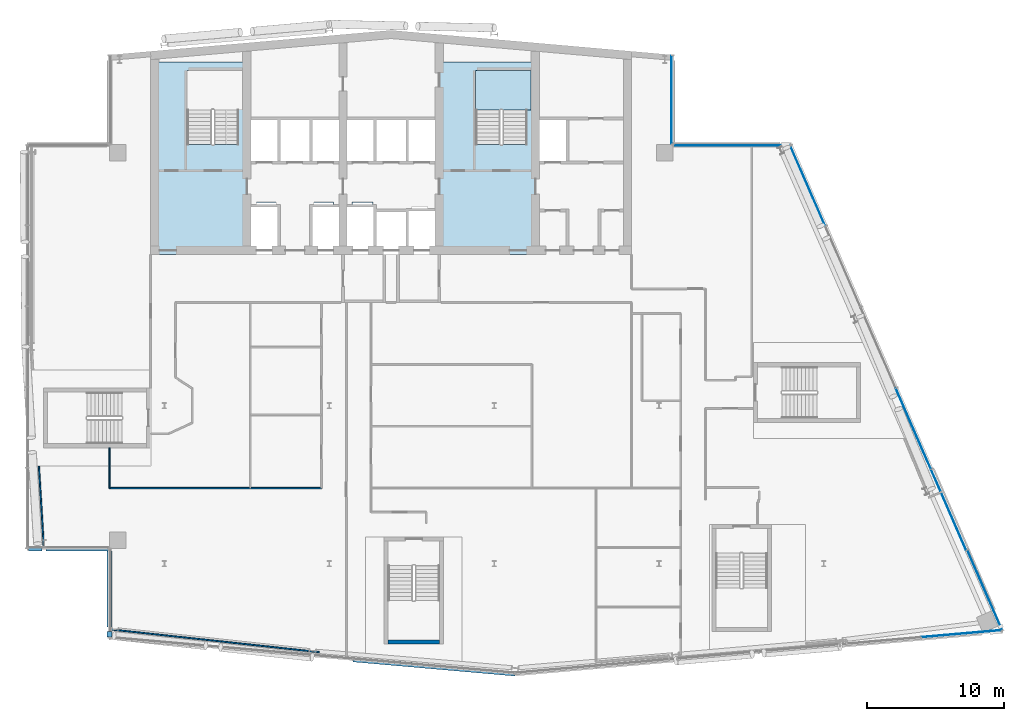
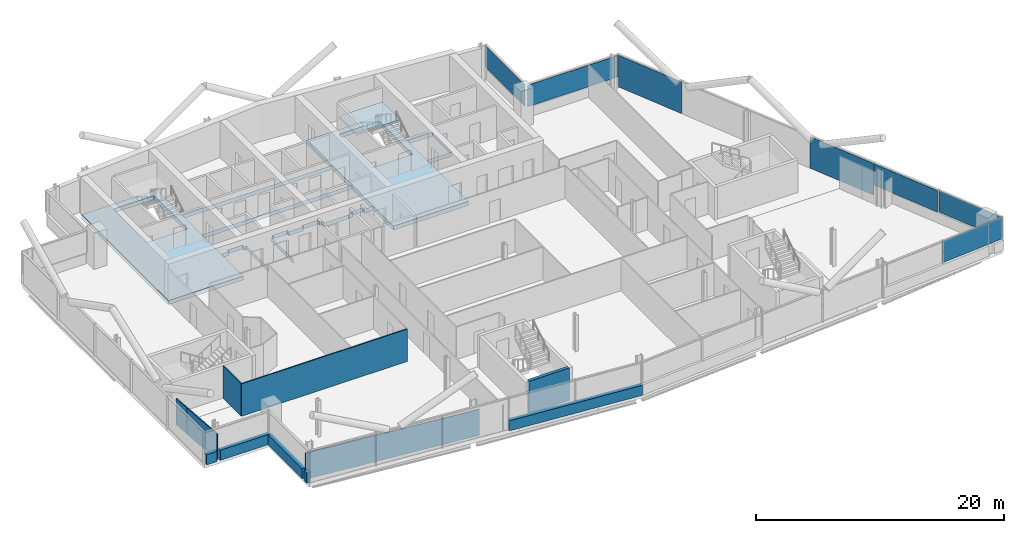
# One storey, part 14 of 27: 11 walls, 7 plates, 2 slabs, 5 elements without a shape of their own.
"""IFC4 building model written with IfcOpenShell, lengths in metres."""

from ifc_helpers import new_model, si_unit, direction, frame, frame_2d, origin, origin_2d, place, context, subcontext, project, spatial, polyline, rectangle, outline, extrude, material, layer, layer_set, type_object, element, aggregate, save


model = new_model("IFC4")

# Units and contexts
model_context = context("Model", 3, precision=1e-05, world=origin(), true_north=direction((0.0, 1.0)))
body_context = subcontext(model_context, "Body", "Model", "MODEL_VIEW")
ifc_project = project(units=[si_unit("LENGTHUNIT", "METRE"), si_unit("AREAUNIT", "SQUARE_METRE"), si_unit("VOLUMEUNIT", "CUBIC_METRE"), si_unit("PLANEANGLEUNIT", "RADIAN"), si_unit("MASSUNIT", "GRAM", prefix="KILO")], contexts=[model_context])

# Site, building, storey
site_placement = place(None, origin())
site = spatial("IfcSite", under=ifc_project, at=site_placement, CompositionType="ELEMENT")
building_placement = place(site_placement, origin())
building = spatial("IfcBuilding", under=site, at=building_placement, Name="Wharfspan Tower", CompositionType="ELEMENT")
storey_placement = place(building_placement, frame((0.0, 0.0, 221.5)))
storey = spatial("IfcBuildingStorey", under=building, at=storey_placement, Name="L55", CompositionType="ELEMENT", Elevation=221.5)

# Curtain wall, plate
ifc_material_1 = material(Name="Aluminium 6063-T6", Category="aluminium")
curtain_wall_type_1 = type_object("IfcCurtainWallType", Name="CURTAIN WALL FACETED FRONT", PredefinedType="NOTDEFINED", material=ifc_material_1)
curtain_wall_1_placement = place(storey_placement, origin())
curtain_wall_1 = element("IfcCurtainWall", 1, at=curtain_wall_1_placement, inside=storey, type_object=curtain_wall_type_1, Name="Curtain wall S2", PredefinedType="NOTDEFINED")
ifc_material_2 = material(Name="Glass clear low-iron double glazing", Category="glass")
ifc_layer_1 = layer(ifc_material_2, 0.040039)
ifc_layer_set_1 = layer_set([ifc_layer_1], Name="Glass clear low-iron double glazing")
plate_type_1 = type_object("IfcPlateType", Name="GLASS PANEL FACETED FRONT 40", PredefinedType="CURTAIN_PANEL", material=ifc_layer_set_1)
plate_1_placement = place(storey_placement, frame((82.021484, 6.399658, 1.0), z_axis=(0.0, 0.0, 1.0), x_axis=(0.996197, 0.087156, 0.0)))
plate_1 = element("IfcPlate", 2, at=plate_1_placement, type_object=plate_type_1, Name="Curtain wall S2 panel 6", PredefinedType="CURTAIN_PANEL", context=body_context, shape_type="SweptSolid", body=[
    extrude(rectangle(XDim=5.849365, YDim=0.040039, at=origin_2d()), origin(), (0.0, 0.0, 1.0), 2.120117),
])
aggregate(curtain_wall_1, [plate_1])

# Curtain wall, plates
curtain_wall_type_2 = type_object("IfcCurtainWallType", Name="CURTAIN WALL PROW AND END", PredefinedType="NOTDEFINED", material=ifc_material_1)
curtain_wall_2_placement = place(storey_placement, origin())
curtain_wall_2 = element("IfcCurtainWall", 3, at=curtain_wall_2_placement, inside=storey, type_object=curtain_wall_type_2, Name="Curtain wall E", PredefinedType="NOTDEFINED")
ifc_layer_2 = layer(ifc_material_2, 0.040039)
ifc_layer_set_2 = layer_set([ifc_layer_2], Name="Glass clear low-iron double glazing")
plate_type_2 = type_object("IfcPlateType", Name="GLASS PANEL PROW AND END 40", PredefinedType="CURTAIN_PANEL", material=ifc_layer_set_2)
plate_2_placement = place(storey_placement, frame((83.711426, 9.563721, 1.0), z_axis=(0.0, 0.0, 1.0), x_axis=(-0.398727, 0.917072, 0.0)))
plate_2 = element("IfcPlate", 4, at=plate_2_placement, type_object=plate_type_2, Name="Curtain wall E panel 1", PredefinedType="CURTAIN_PANEL", context=body_context, shape_type="SweptSolid", body=[
    extrude(rectangle(XDim=6.343506, YDim=0.040039, at=origin_2d()), origin(), (0.0, 0.0, 1.0), 2.120117),
])
plate_3_placement = place(storey_placement, frame((81.078857, 15.418213, 1.0), z_axis=(0.0, 0.0, 1.0), x_axis=(-0.398727, 0.917072, 0.0)))
plate_3 = element("IfcPlate", 5, at=plate_3_placement, type_object=plate_type_2, Name="Curtain wall E panel 2", PredefinedType="CURTAIN_PANEL", context=body_context, shape_type="SweptSolid", body=[
    extrude(rectangle(XDim=6.373535, YDim=0.040039, at=origin_2d()), origin(), (0.0, 0.0, 1.0), 2.120117),
])

# Curtain wall, plate
curtain_wall_3_placement = place(storey_placement, origin())
curtain_wall_3 = element("IfcCurtainWall", 6, at=curtain_wall_3_placement, inside=storey, type_object=curtain_wall_type_2, Name="Curtain wall NRE-H", PredefinedType="NOTDEFINED")
plate_4_placement = place(storey_placement, frame((65.304443, 41.919922, 1.0), z_axis=(0.0, 0.0, 1.0), x_axis=(-1.0, 0.0, 0.0)))
plate_4 = element("IfcPlate", 7, at=plate_4_placement, type_object=plate_type_2, Name="Curtain wall NRE-H panel 1", PredefinedType="CURTAIN_PANEL", context=body_context, shape_type="SweptSolid", body=[
    extrude(rectangle(XDim=8.48877, YDim=0.040039, at=origin_2d()), origin(), (0.0, 0.0, 1.0), 2.120117),
])
aggregate(curtain_wall_3, [plate_4])

curtain_wall_4_placement = place(storey_placement, origin())
curtain_wall_4 = element("IfcCurtainWall", 8, at=curtain_wall_4_placement, inside=storey, type_object=curtain_wall_type_2, Name="Curtain wall NRE-V", PredefinedType="NOTDEFINED")
plate_5_placement = place(storey_placement, frame((60.919922, 45.262451, 1.0), z_axis=(0.0, 0.0, 1.0), x_axis=(0.0, 1.0, 0.0)))
plate_5 = element("IfcPlate", 9, at=plate_5_placement, type_object=plate_type_2, Name="Curtain wall NRE-V panel 1", PredefinedType="CURTAIN_PANEL", context=body_context, shape_type="SweptSolid", body=[
    extrude(rectangle(XDim=6.405029, YDim=0.040039, at=origin_2d()), origin(), (0.0, 0.0, 1.0), 2.120117),
])
aggregate(curtain_wall_4, [plate_5])

# Plate
ifc_material_3 = material(Name="Aluminium composite opaque insulated panel", Category="aluminium")
ifc_layer_3 = layer(ifc_material_3, 0.040039)
ifc_layer_set_3 = layer_set([ifc_layer_3], Name="Aluminium composite opaque insulated panel")
plate_type_3 = type_object("IfcPlateType", Name="INFILL PANEL PROW AND END OPAQUE 40", PredefinedType="SHEET", material=ifc_layer_set_3)
plate_6_placement = place(storey_placement, frame((78.513672, 21.318115, 0.0), z_axis=(0.0, 0.0, 1.0), x_axis=(-0.398727, 0.917072, 0.0)))
plate_6 = element("IfcPlate", 10, at=plate_6_placement, type_object=plate_type_3, Name="Curtain wall E panel 3", PredefinedType="SHEET", context=body_context, shape_type="SweptSolid", body=[
    extrude(rectangle(XDim=6.373535, YDim=0.040039, at=origin_2d()), origin(), (0.0, 0.0, 1.0), 3.120117),
])

plate_7_placement = place(storey_placement, frame((70.823975, 39.004395, 0.0), z_axis=(0.0, 0.0, 1.0), x_axis=(-0.398727, 0.917072, 0.0)))
plate_7 = element("IfcPlate", 11, at=plate_7_placement, type_object=plate_type_3, Name="Curtain wall E panel 6", PredefinedType="SHEET", context=body_context, shape_type="SweptSolid", body=[
    extrude(rectangle(XDim=6.343506, YDim=0.040039, at=origin_2d()), origin(), (0.0, 0.0, 1.0), 3.120117),
])

aggregate(curtain_wall_2, [plate_2, plate_3, plate_6, plate_7])

# Slab
ifc_material_4 = material(Name="Concrete C40/50", Category="concrete")
ifc_layer_4 = layer(ifc_material_4, 0.399902)
ifc_layer_set_4 = layer_set([ifc_layer_4], Name="Concrete C40/50")
slab_type_1 = type_object("IfcSlabType", Name="Post-tensioned flat slab 400", PredefinedType="FLOOR", material=ifc_layer_set_4)
slab_1_placement = place(storey_placement, frame((0.0, 0.0, -0.400146)))
element("IfcSlab", 12, at=slab_1_placement, inside=storey, type_object=slab_type_1, Name="Core floor slab L55 part 2", PredefinedType="FLOOR", context=body_context, shape_type="SweptSolid", body=[
    extrude(outline(polyline([(23.0, 34.0), (29.998047, 34.0), (29.998047, 37.550049), (29.998047, 37.550293), (29.998047, 37.550293), (29.998047, 37.550537), (29.998291, 37.550781), (29.998291, 37.550781), (29.998291, 37.551025), (29.998535, 37.55127), (29.998535, 37.551514), (29.998779, 37.551514), (29.998779, 37.551758), (29.999023, 37.551758), (29.999268, 37.551758), (29.999512, 37.552002), (29.999512, 37.552002), (29.999756, 37.552002), (30.0, 37.552002), (30.7146, 37.552002), (30.7146, 37.800049), (30.7146, 37.800293), (30.7146, 37.800293), (30.714844, 37.800537), (30.714844, 37.800781), (30.714844, 37.800781), (30.715088, 37.801025), (30.715088, 37.80127), (30.715332, 37.801514), (30.715332, 37.801514), (30.715576, 37.801758), (30.71582, 37.801758), (30.71582, 37.801758), (30.716064, 37.802002), (30.716309, 37.802002), (30.716553, 37.802002), (30.716797, 37.802002), (32.116699, 37.802002), (32.116943, 37.802002), (32.117188, 37.802002), (32.117188, 37.802002), (32.117432, 37.801758), (32.117676, 37.801758), (32.11792, 37.801758), (32.11792, 37.801514), (32.118164, 37.801514), (32.118164, 37.80127), (32.118408, 37.801025), (32.118408, 37.800781), (32.118408, 37.800781), (32.118652, 37.800537), (32.118652, 37.800293), (32.118652, 37.800293), (32.118652, 37.800049), (32.118652, 37.552002), (32.333252, 37.552002), (32.333496, 37.552002), (32.33374, 37.552002), (32.333984, 37.552002), (32.333984, 37.551758), (32.334229, 37.551758), (32.334473, 37.551758), (32.334717, 37.551514), (32.334717, 37.551514), (32.334961, 37.55127), (32.334961, 37.551025), (32.335205, 37.550781), (32.335205, 37.550781), (32.335205, 37.550537), (32.335205, 37.550293), (32.335205, 37.550293), (32.335205, 37.550049), (32.335205, 34.0), (32.341309, 34.0), (32.341309, 37.558105), (32.126709, 37.558105), (32.126465, 37.558105), (32.126221, 37.558105), (32.126221, 37.558105), (32.125977, 37.558105), (32.125732, 37.558105), (32.125488, 37.55835), (32.125488, 37.558594), (32.125244, 37.558594), (32.125244, 37.558594), (32.125, 37.558838), (32.125, 37.559082), (32.125, 37.559082), (32.124756, 37.559326), (32.124756, 37.55957), (32.124756, 37.559814), (32.124756, 37.560059), (32.124756, 37.808105), (30.70874, 37.808105), (30.70874, 37.560059), (30.70874, 37.559814), (30.70874, 37.55957), (30.708496, 37.559326), (30.708496, 37.559082), (30.708496, 37.559082), (30.708496, 37.558838), (30.708252, 37.558594), (30.708008, 37.558594), (30.708008, 37.558594), (30.707764, 37.55835), (30.70752, 37.558105), (30.70752, 37.558105), (30.707275, 37.558105), (30.707031, 37.558105), (30.706787, 37.558105), (30.706787, 37.558105), (30.01001, 37.558105), (30.009766, 37.558105), (30.009521, 37.558105), (30.009521, 37.558105), (30.009277, 37.558105), (30.009033, 37.558105), (30.008789, 37.55835), (30.008789, 37.558594), (30.008545, 37.558594), (30.008545, 37.558594), (30.008301, 37.558838), (30.008301, 37.559082), (30.008301, 37.559082), (30.008057, 37.559326), (30.008057, 37.55957), (30.008057, 37.559814), (30.008057, 37.560059), (30.008057, 40.689941), (30.008057, 40.690186), (30.008057, 40.69043), (30.008057, 40.690674), (30.008301, 40.690918), (30.008301, 40.690918), (30.008301, 40.691162), (30.008545, 40.691406), (30.008545, 40.691406), (30.008789, 40.691406), (30.008789, 40.69165), (30.009033, 40.691895), (30.009277, 40.691895), (30.009521, 40.691895), (30.009521, 40.691895), (30.009766, 40.691895), (30.01001, 40.691895), (43.98999, 40.691895), (43.990234, 40.691895), (43.990479, 40.691895), (43.990479, 40.691895), (43.990723, 40.691895), (43.990967, 40.691895), (43.991211, 40.69165), (43.991211, 40.691406), (43.991455, 40.691406), (43.991455, 40.691406), (43.991699, 40.691162), (43.991699, 40.690918), (43.991699, 40.690918), (43.991943, 40.690674), (43.991943, 40.69043), (43.991943, 40.690186), (43.991943, 40.689941), (43.991943, 37.26001), (43.991943, 37.259766), (43.991943, 37.259521), (43.991943, 37.259521), (43.991699, 37.259277), (43.991699, 37.259033), (43.991699, 37.258789), (43.991455, 37.258789), (43.991455, 37.258545), (43.991211, 37.258545), (43.991211, 37.258301), (43.990967, 37.258301), (43.990723, 37.258301), (43.990479, 37.258057), (43.990479, 37.258057), (43.990234, 37.258057), (43.98999, 37.258057), (43.143311, 37.258057), (43.143066, 37.258057), (43.142822, 37.258057), (43.142578, 37.258057), (43.142578, 37.258301), (43.142334, 37.258301), (43.14209, 37.258301), (43.14209, 37.258545), (43.141846, 37.258545), (43.141846, 37.258789), (43.141602, 37.258789), (43.141602, 37.259033), (43.141602, 37.259277), (43.141357, 37.259521), (43.141357, 37.259521), (43.141357, 37.259766), (43.141357, 37.26001), (43.141357, 37.508057), (42.025391, 37.508057), (42.025391, 37.26001), (42.025391, 37.259766), (42.025391, 37.259521), (42.025146, 37.259521), (42.025146, 37.259277), (42.025146, 37.259033), (42.024902, 37.258789), (42.024902, 37.258789), (42.024658, 37.258545), (42.024658, 37.258545), (42.024414, 37.258301), (42.02417, 37.258301), (42.02417, 37.258301), (42.023926, 37.258057), (42.023682, 37.258057), (42.023438, 37.258057), (42.023193, 37.258057), (41.658691, 37.258057), (41.658691, 37.209961), (41.658691, 37.209717), (41.658691, 37.209717), (41.658691, 37.209473), (41.658447, 37.209229), (41.658447, 37.208984), (41.658447, 37.208984), (41.658203, 37.20874), (41.658203, 37.208496), (41.657959, 37.208496), (41.657715, 37.208252), (41.657715, 37.208252), (41.657471, 37.208252), (41.657227, 37.208008), (41.656982, 37.208008), (41.656982, 37.208008), (41.656738, 37.208008), (39.343262, 37.208008), (39.343018, 37.208008), (39.343018, 37.208008), (39.342773, 37.208008), (39.342529, 37.208252), (39.342285, 37.208252), (39.342285, 37.208252), (39.342041, 37.208496), (39.341797, 37.208496), (39.341797, 37.20874), (39.341553, 37.208984), (39.341553, 37.208984), (39.341553, 37.209229), (39.341309, 37.209473), (39.341309, 37.209717), (39.341309, 37.209717), (39.341309, 37.209961), (39.341309, 37.558105), (39.166748, 37.558105), (39.166504, 37.558105), (39.16626, 37.558105), (39.166016, 37.558105), (39.166016, 37.558105), (39.165771, 37.558105), (39.165527, 37.55835), (39.165283, 37.558594), (39.165283, 37.558594), (39.165283, 37.558594), (39.165039, 37.558838), (39.164795, 37.559082), (39.164795, 37.559082), (39.164795, 37.559326), (39.164795, 37.55957), (39.164795, 37.559814), (39.164795, 37.560059), (39.164795, 37.808105), (37.668701, 37.808105), (37.668701, 37.560059), (37.668701, 37.559814), (37.668701, 37.55957), (37.668701, 37.559326), (37.668457, 37.559082), (37.668457, 37.559082), (37.668457, 37.558838), (37.668213, 37.558594), (37.668213, 37.558594), (37.667969, 37.558594), (37.667725, 37.55835), (37.66748, 37.558105), (37.66748, 37.558105), (37.667236, 37.558105), (37.666992, 37.558105), (37.666992, 37.558105), (37.666748, 37.558105), (36.293213, 37.558105), (36.293213, 37.558105), (36.292969, 37.558105), (36.292725, 37.558105), (36.29248, 37.558105), (36.29248, 37.558105), (36.292236, 37.55835), (36.291992, 37.558594), (36.291992, 37.558594), (36.291748, 37.558594), (36.291504, 37.558838), (36.291504, 37.559082), (36.291504, 37.559082), (36.291504, 37.559326), (36.29126, 37.55957), (36.29126, 37.559814), (36.29126, 37.560059), (36.29126, 37.808105), (34.875244, 37.808105), (34.875244, 37.560059), (34.875244, 37.559814), (34.875244, 37.55957), (34.875244, 37.559326), (34.875, 37.559082), (34.875, 37.559082), (34.875, 37.558838), (34.874756, 37.558594), (34.874756, 37.558594), (34.874512, 37.558594), (34.874512, 37.55835), (34.874268, 37.558105), (34.874023, 37.558105), (34.873779, 37.558105), (34.873779, 37.558105), (34.873535, 37.558105), (34.873291, 37.558105), (34.658691, 37.558105), (34.658691, 34.0), (34.664795, 34.0), (34.664795, 37.550049), (34.664795, 37.550293), (34.664795, 37.550293), (34.664795, 37.550537), (34.664795, 37.550781), (34.664795, 37.550781), (34.665039, 37.551025), (34.665039, 37.55127), (34.665283, 37.551514), (34.665283, 37.551514), (34.665527, 37.551758), (34.665771, 37.551758), (34.666016, 37.551758), (34.666016, 37.552002), (34.66626, 37.552002), (34.666504, 37.552002), (34.666748, 37.552002), (34.881348, 37.552002), (34.881348, 37.800049), (34.881348, 37.800293), (34.881348, 37.800293), (34.881348, 37.800537), (34.881592, 37.800781), (34.881592, 37.800781), (34.881592, 37.801025), (34.881836, 37.80127), (34.881836, 37.801514), (34.88208, 37.801514), (34.88208, 37.801758), (34.882324, 37.801758), (34.882568, 37.801758), (34.882812, 37.802002), (34.882812, 37.802002), (34.883057, 37.802002), (34.883301, 37.802002), (36.283203, 37.802002), (36.283447, 37.802002), (36.283691, 37.802002), (36.283936, 37.802002), (36.28418, 37.801758), (36.28418, 37.801758), (36.284424, 37.801758), (36.284668, 37.801514), (36.284668, 37.801514), (36.284912, 37.80127), (36.284912, 37.801025), (36.285156, 37.800781), (36.285156, 37.800781), (36.285156, 37.800537), (36.2854, 37.800293), (36.2854, 37.800293), (36.2854, 37.800049), (36.2854, 37.552002), (37.674805, 37.552002), (37.674805, 37.800049), (37.674805, 37.800293), (37.674805, 37.800293), (37.674805, 37.800537), (37.674805, 37.800781), (37.674805, 37.800781), (37.675049, 37.801025), (37.675049, 37.80127), (37.675293, 37.801514), (37.675293, 37.801514), (37.675537, 37.801758), (37.675781, 37.801758), (37.675781, 37.801758), (37.676025, 37.802002), (37.67627, 37.802002), (37.676514, 37.802002), (37.676758, 37.802002), (39.156738, 37.802002), (39.156982, 37.802002), (39.156982, 37.802002), (39.157227, 37.802002), (39.157471, 37.801758), (39.157715, 37.801758), (39.157715, 37.801758), (39.157959, 37.801514), (39.158203, 37.801514), (39.158203, 37.80127), (39.158203, 37.801025), (39.158447, 37.800781), (39.158447, 37.800781), (39.158691, 37.800537), (39.158691, 37.800293), (39.158691, 37.800293), (39.158691, 37.800049), (39.158691, 37.552002), (39.333252, 37.552002), (39.333496, 37.552002), (39.33374, 37.552002), (39.333984, 37.552002), (39.333984, 37.551758), (39.334229, 37.551758), (39.334473, 37.551758), (39.334717, 37.551514), (39.334717, 37.551514), (39.334961, 37.55127), (39.334961, 37.551025), (39.335205, 37.550781), (39.335205, 37.550781), (39.335205, 37.550537), (39.335205, 37.550293), (39.335205, 37.550293), (39.335205, 37.550049), (39.335205, 37.201904), (41.664795, 37.201904), (41.664795, 37.25), (41.664795, 37.250244), (41.664795, 37.250488), (41.664795, 37.250488), (41.664795, 37.250732), (41.664795, 37.250977), (41.665039, 37.251221), (41.665039, 37.251221), (41.665283, 37.251465), (41.665283, 37.251465), (41.665527, 37.251709), (41.665771, 37.251709), (41.666016, 37.251709), (41.666016, 37.251953), (41.66626, 37.251953), (41.666504, 37.251953), (41.666748, 37.251953), (42.03125, 37.251953), (42.03125, 37.5), (42.03125, 37.500244), (42.031494, 37.500488), (42.031494, 37.500488), (42.031494, 37.500732), (42.031494, 37.500977), (42.031738, 37.501221), (42.031738, 37.501221), (42.031982, 37.501465), (42.031982, 37.501465), (42.032227, 37.501709), (42.032471, 37.501709), (42.032715, 37.501709), (42.032715, 37.501953), (42.032959, 37.501953), (42.033203, 37.501953), (42.033203, 37.501953), (43.133301, 37.501953), (43.133545, 37.501953), (43.133789, 37.501953), (43.133789, 37.501953), (43.134033, 37.501709), (43.134277, 37.501709), (43.134521, 37.501709), (43.134521, 37.501465), (43.134766, 37.501465), (43.13501, 37.501221), (43.13501, 37.501221), (43.13501, 37.500977), (43.135254, 37.500732), (43.135254, 37.500488), (43.135254, 37.500488), (43.135254, 37.500244), (43.135254, 37.5), (43.135254, 37.251953), (44.0, 37.251953), (44.000244, 37.251953), (44.000488, 37.251953), (44.000488, 37.251953), (44.000732, 37.251709), (44.000977, 37.251709), (44.001221, 37.251709), (44.001221, 37.251465), (44.001465, 37.251465), (44.001465, 37.251221), (44.001709, 37.251221), (44.001709, 37.250977), (44.001709, 37.250732), (44.001953, 37.250488), (44.001953, 37.250488), (44.001953, 37.250244), (44.001953, 37.25), (44.001953, 34.0), (51.0, 34.0), (51.008057, 34.0), (51.008057, 40.689941), (51.008057, 40.690186), (51.008057, 40.69043), (51.008057, 40.690674), (51.008301, 40.690918), (51.008301, 40.690918), (51.008301, 40.691162), (51.008545, 40.691406), (51.008545, 40.691406), (51.008789, 40.691406), (51.008789, 40.69165), (51.009033, 40.691895), (51.009277, 40.691895), (51.009521, 40.691895), (51.009521, 40.691895), (51.009766, 40.691895), (51.01001, 40.691895), (53.341309, 40.691895), (53.341309, 43.907959), (51.01001, 43.907959), (51.009766, 43.907959), (51.009521, 43.907959), (51.009521, 43.908203), (51.009277, 43.908203), (51.009033, 43.908203), (51.008789, 43.908203), (51.008789, 43.908447), (51.008545, 43.908691), (51.008545, 43.908691), (51.008301, 43.908936), (51.008301, 43.90918), (51.008301, 43.90918), (51.008057, 43.909424), (51.008057, 43.909668), (51.008057, 43.909912), (51.008057, 43.909912), (51.008057, 48.008057), (43.991943, 48.008057), (43.991943, 43.909912), (43.991943, 43.909912), (43.991943, 43.909668), (43.991943, 43.909424), (43.991699, 43.90918), (43.991699, 43.90918), (43.991699, 43.908936), (43.991455, 43.908691), (43.991455, 43.908691), (43.991211, 43.908447), (43.991211, 43.908203), (43.990967, 43.908203), (43.990723, 43.908203), (43.990479, 43.908203), (43.990479, 43.907959), (43.990234, 43.907959), (43.98999, 43.907959), (30.01001, 43.907959), (30.009766, 43.907959), (30.009521, 43.907959), (30.009521, 43.908203), (30.009277, 43.908203), (30.009033, 43.908203), (30.008789, 43.908203), (30.008789, 43.908447), (30.008545, 43.908691), (30.008545, 43.908691), (30.008301, 43.908936), (30.008301, 43.90918), (30.008301, 43.90918), (30.008057, 43.909424), (30.008057, 43.909668), (30.008057, 43.909912), (30.008057, 43.909912), (30.008057, 48.008057), (23.0, 48.008057), (23.0, 48.0), (23.0, 34.0)]), holes=[polyline([(53.333252, 43.9021), (53.333496, 43.9021), (53.33374, 43.9021), (53.333984, 43.901855), (53.333984, 43.901855), (53.334229, 43.901855), (53.334473, 43.901611), (53.334717, 43.901611), (53.334717, 43.901367), (53.334961, 43.901367), (53.334961, 43.901123), (53.335205, 43.900879), (53.335205, 43.900879), (53.335205, 43.900635), (53.335205, 43.900391), (53.335205, 43.900146), (53.335205, 43.899902), (53.335205, 40.699951), (53.335205, 40.699707), (53.335205, 40.699707), (53.335205, 40.699463), (53.335205, 40.699219), (53.335205, 40.699219), (53.334961, 40.698975), (53.334961, 40.69873), (53.334717, 40.698486), (53.334717, 40.698486), (53.334473, 40.698242), (53.334229, 40.698242), (53.333984, 40.698242), (53.333984, 40.697998), (53.33374, 40.697998), (53.333496, 40.697998), (53.333252, 40.697998), (51.0, 40.697998), (50.999756, 40.697998), (50.999512, 40.697998), (50.999512, 40.697998), (50.999268, 40.698242), (50.999023, 40.698242), (50.998779, 40.698242), (50.998779, 40.698486), (50.998535, 40.698486), (50.998535, 40.69873), (50.998291, 40.698975), (50.998291, 40.699219), (50.998291, 40.699219), (50.998047, 40.699463), (50.998047, 40.699707), (50.998047, 40.699707), (50.998047, 40.699951), (50.998047, 43.899902), (50.998047, 43.900146), (50.998047, 43.900391), (50.998047, 43.900635), (50.998291, 43.900879), (50.998291, 43.900879), (50.998291, 43.901123), (50.998535, 43.901367), (50.998535, 43.901367), (50.998779, 43.901611), (50.998779, 43.901611), (50.999023, 43.901855), (50.999268, 43.901855), (50.999512, 43.901855), (50.999512, 43.9021), (50.999756, 43.9021), (51.0, 43.9021), (53.333252, 43.9021)]), polyline([(46.649902, 41.998047), (46.649902, 41.998047), (46.649658, 41.998047), (46.649414, 41.998047), (46.64917, 41.998291), (46.64917, 41.998291), (46.648926, 41.998291), (46.648682, 41.998535), (46.648682, 41.998535), (46.648438, 41.998779), (46.648193, 41.998779), (46.648193, 41.999023), (46.648193, 41.999268), (46.648193, 41.999512), (46.647949, 41.999512), (46.647949, 41.999756), (46.647949, 42.0), (46.647949, 47.399902), (46.647949, 47.400146), (46.647949, 47.400391), (46.648193, 47.400635), (46.648193, 47.400879), (46.648193, 47.400879), (46.648193, 47.401123), (46.648438, 47.401367), (46.648682, 47.401367), (46.648682, 47.401611), (46.648926, 47.401611), (46.64917, 47.401855), (46.64917, 47.401855), (46.649414, 47.401855), (46.649658, 47.4021), (46.649902, 47.4021), (46.649902, 47.4021), (50.399902, 47.4021), (50.400146, 47.4021), (50.400391, 47.4021), (50.400635, 47.401855), (50.400879, 47.401855), (50.400879, 47.401855), (50.401123, 47.401611), (50.401367, 47.401611), (50.401367, 47.401367), (50.401611, 47.401367), (50.401611, 47.401123), (50.401855, 47.400879), (50.401855, 47.400879), (50.401855, 47.400635), (50.4021, 47.400391), (50.4021, 47.400146), (50.4021, 47.399902), (50.4021, 42.0), (50.4021, 41.999756), (50.4021, 41.999512), (50.401855, 41.999512), (50.401855, 41.999268), (50.401855, 41.999023), (50.401611, 41.998779), (50.401611, 41.998779), (50.401367, 41.998535), (50.401367, 41.998535), (50.401123, 41.998291), (50.400879, 41.998291), (50.400879, 41.998291), (50.400635, 41.998047), (50.400391, 41.998047), (50.400146, 41.998047), (50.399902, 41.998047), (46.649902, 41.998047)]), polyline([(44.0, 43.9021), (44.000244, 43.9021), (44.000488, 43.9021), (44.000488, 43.901855), (44.000732, 43.901855), (44.000977, 43.901855), (44.001221, 43.901611), (44.001221, 43.901611), (44.001465, 43.901367), (44.001465, 43.901367), (44.001709, 43.901123), (44.001709, 43.900879), (44.001709, 43.900879), (44.001953, 43.900635), (44.001953, 43.900391), (44.001953, 43.900146), (44.001953, 43.899902), (44.001953, 40.699951), (44.001953, 40.699707), (44.001953, 40.699707), (44.001953, 40.699463), (44.001709, 40.699219), (44.001709, 40.699219), (44.001709, 40.698975), (44.001465, 40.69873), (44.001465, 40.698486), (44.001221, 40.698486), (44.001221, 40.698242), (44.000977, 40.698242), (44.000732, 40.698242), (44.000488, 40.697998), (44.000488, 40.697998), (44.000244, 40.697998), (44.0, 40.697998), (30.0, 40.697998), (29.999756, 40.697998), (29.999512, 40.697998), (29.999512, 40.697998), (29.999268, 40.698242), (29.999023, 40.698242), (29.998779, 40.698242), (29.998779, 40.698486), (29.998535, 40.698486), (29.998535, 40.69873), (29.998291, 40.698975), (29.998291, 40.699219), (29.998291, 40.699219), (29.998047, 40.699463), (29.998047, 40.699707), (29.998047, 40.699707), (29.998047, 40.699951), (29.998047, 43.899902), (29.998047, 43.900146), (29.998047, 43.900391), (29.998047, 43.900635), (29.998291, 43.900879), (29.998291, 43.900879), (29.998291, 43.901123), (29.998535, 43.901367), (29.998535, 43.901367), (29.998779, 43.901611), (29.998779, 43.901611), (29.999023, 43.901855), (29.999268, 43.901855), (29.999512, 43.901855), (29.999512, 43.9021), (29.999756, 43.9021), (30.0, 43.9021), (44.0, 43.9021)]), polyline([(29.4021, 42.0), (29.4021, 41.999756), (29.4021, 41.999512), (29.401855, 41.999512), (29.401855, 41.999268), (29.401855, 41.999023), (29.401611, 41.998779), (29.401611, 41.998779), (29.401367, 41.998535), (29.401367, 41.998535), (29.401123, 41.998291), (29.400879, 41.998291), (29.400879, 41.998291), (29.400635, 41.998047), (29.400391, 41.998047), (29.400146, 41.998047), (29.399902, 41.998047), (25.649902, 41.998047), (25.649902, 41.998047), (25.649658, 41.998047), (25.649414, 41.998047), (25.64917, 41.998291), (25.64917, 41.998291), (25.648926, 41.998291), (25.648682, 41.998535), (25.648682, 41.998535), (25.648438, 41.998779), (25.648193, 41.998779), (25.648193, 41.999023), (25.648193, 41.999268), (25.648193, 41.999512), (25.647949, 41.999512), (25.647949, 41.999756), (25.647949, 42.0), (25.647949, 47.399902), (25.647949, 47.400146), (25.647949, 47.400391), (25.648193, 47.400635), (25.648193, 47.400879), (25.648193, 47.400879), (25.648193, 47.401123), (25.648438, 47.401367), (25.648682, 47.401367), (25.648682, 47.401611), (25.648926, 47.401611), (25.64917, 47.401855), (25.64917, 47.401855), (25.649414, 47.401855), (25.649658, 47.4021), (25.649902, 47.4021), (25.649902, 47.4021), (29.399902, 47.4021), (29.400146, 47.4021), (29.400391, 47.4021), (29.400635, 47.401855), (29.400879, 47.401855), (29.400879, 47.401855), (29.401123, 47.401611), (29.401367, 47.401611), (29.401367, 47.401367), (29.401611, 47.401367), (29.401611, 47.401123), (29.401855, 47.400879), (29.401855, 47.400879), (29.401855, 47.400635), (29.4021, 47.400391), (29.4021, 47.400146), (29.4021, 47.399902), (29.4021, 42.0)])]), origin(), (0.0, 0.0, 1.0), 0.400146),
])

# Stair, slab
stair_type = type_object("IfcStairType", Name="Half-turn stair 20 risers 180 mm", PredefinedType="HALF_TURN_STAIR", material=ifc_material_4)
stair_placement = place(storey_placement, origin())
stair = element("IfcStair", 13, at=stair_placement, inside=storey, type_object=stair_type, Name="L55 stair ST2", PredefinedType="HALF_TURN_STAIR")
ifc_layer_5 = layer(ifc_material_4, 0.199951)
ifc_layer_set_5 = layer_set([ifc_layer_5], Name="Concrete C40/50")
slab_type_2 = type_object("IfcSlabType", Name="Stair landing 200", PredefinedType="LANDING", material=ifc_layer_set_5)
slab_2_placement = place(storey_placement, frame((0.0, 0.0, 1.599854)))
slab_2 = element("IfcSlab", 14, at=slab_2_placement, type_object=slab_type_2, Name="ST2 landing 1", PredefinedType="LANDING", context=body_context, shape_type="SweptSolid", body=[
    extrude(outline(polyline([(46.649902, 44.52002), (50.699951, 44.52002), (50.699951, 47.399902), (46.649902, 47.399902), (46.649902, 44.52002)])), origin(), (0.0, 0.0, 1.0), 0.200195),
])
aggregate(stair, [slab_2])

# Walls
ifc_material_5 = material(Name="Gypsum board on steel studs", Category="steel")
ifc_layer_6 = layer(ifc_material_5, 0.100098)
ifc_layer_set_6 = layer_set([ifc_layer_6], Name="Gypsum board on steel studs")
wall_type_1 = type_object("IfcWallType", Name="Partition 100", PredefinedType="PARTITIONING", material=ifc_layer_set_6)
wall_1_placement = place(storey_placement, frame((14.959961, 16.995117, 0.0), z_axis=(0.0, 0.0, 1.0), x_axis=(-0.062263, 0.998056, 0.0)))
element("IfcWall", 15, at=wall_1_placement, inside=storey, type_object=wall_type_1, Name="Partition L55.w003", PredefinedType="PARTITIONING", context=body_context, shape_type="SweptSolid", body=[
    extrude(rectangle(XDim=1.588135, YDim=0.100098, at=frame_2d((0.793945, 0.0))), origin(), (0.0, 0.0, 1.0), 2.580078),
])
wall_2_placement = place(storey_placement, frame((15.223877, 12.620117, 0.0), z_axis=(0.0, 0.0, 1.0), x_axis=(-0.060214, 0.998182, 0.0)))
element("IfcWall", 16, at=wall_2_placement, inside=storey, type_object=wall_type_1, Name="Partition L55.w004", PredefinedType="PARTITIONING", context=body_context, shape_type="SweptSolid", body=[
    extrude(rectangle(XDim=4.383057, YDim=0.100098, at=frame_2d((2.191406, 0.0))), origin(), (0.0, 0.0, 1.0), 2.580078),
])
wall_3_placement = place(storey_placement, frame((20.0, 16.995117, 0.0), z_axis=(0.0, 0.0, 1.0), x_axis=(1.0, 0.0, 0.0)))
element("IfcWall", 17, at=wall_3_placement, inside=storey, type_object=wall_type_1, Name="Partition L55.w005", PredefinedType="PARTITIONING", context=body_context, shape_type="SweptSolid", body=[
    extrude(rectangle(XDim=15.439941, YDim=0.100098, at=frame_2d((7.719971, 0.0))), origin(), (0.0, 0.0, 1.0), 3.199951),
])
wall_4_placement = place(storey_placement, frame((20.0, 17.0, 0.0), z_axis=(0.0, 0.0, 1.0), x_axis=(0.0, 1.0, 0.0)))
element("IfcWall", 18, at=wall_4_placement, inside=storey, type_object=wall_type_1, Name="Partition L55.w006", PredefinedType="PARTITIONING", context=body_context, shape_type="SweptSolid", body=[
    extrude(rectangle(XDim=2.925049, YDim=0.100098, at=frame_2d((1.462402, 0.0))), origin(), (0.0, 0.0, 1.0), 3.199951),
])
wall_5_placement = place(storey_placement, frame((35.274902, 5.054932, 0.0), z_axis=(0.0, 0.0, 1.0), x_axis=(-0.994128, 0.108228, 0.0)))
element("IfcWall", 19, at=wall_5_placement, inside=storey, type_object=wall_type_1, Name="Partition L55.w017", PredefinedType="PARTITIONING", context=body_context, shape_type="SweptSolid", body=[
    extrude(rectangle(XDim=15.334961, YDim=0.100098, at=frame_2d((7.66748, 0.0))), origin(), (0.0, 0.0, 1.0), 2.580078),
])
ifc_layer_7 = layer(ifc_material_4, 0.350098)
ifc_layer_set_7 = layer_set([ifc_layer_7], Name="Concrete C40/50")
wall_type_2 = type_object("IfcWallType", Name="SPANDREL EXPOSED CONCRETE 350", PredefinedType="SOLIDWALL", material=ifc_layer_set_7)
wall_6_placement = place(storey_placement, frame((37.729492, 4.519043, 0.0), z_axis=(0.0, 0.0, 1.0), x_axis=(0.99619, -0.087167, 0.0)))
element("IfcWall", 20, at=wall_6_placement, inside=storey, type_object=wall_type_2, Name="Spandrel upstand L55 S1", PredefinedType="SOLIDWALL", context=body_context, shape_type="SweptSolid", body=[
    extrude(rectangle(XDim=11.830566, YDim=0.350098, at=frame_2d((5.915283, 0.0))), origin(), (0.0, 0.0, 1.0), 1.0),
])
wall_7_placement = place(storey_placement, frame((14.120117, 12.594971, 0.0), z_axis=(0.0, 0.0, 1.0), x_axis=(1.0, 0.0, 0.0)))
element("IfcWall", 21, at=wall_7_placement, inside=storey, type_object=wall_type_2, Name="Spandrel upstand L55 NFW-H", PredefinedType="SOLIDWALL", context=body_context, shape_type="SweptSolid", body=[
    extrude(rectangle(XDim=0.9646, YDim=0.350098, at=frame_2d((0.482422, 0.0))), origin(), (0.0, 0.0, 1.0), 1.0),
])
wall_8_placement = place(storey_placement, frame((15.390625, 12.594971, 0.0), z_axis=(0.0, 0.0, 1.0), x_axis=(1.0, 0.0, 0.0)))
element("IfcWall", 22, at=wall_8_placement, inside=storey, type_object=wall_type_2, Name="Spandrel upstand L55 NFW-H 2", PredefinedType="SOLIDWALL", context=body_context, shape_type="SweptSolid", body=[
    extrude(rectangle(XDim=4.609375, YDim=0.350098, at=frame_2d((2.304688, 0.0))), origin(), (0.0, 0.0, 1.0), 1.0),
])
wall_9_placement = place(storey_placement, frame((19.995117, 12.419922, 0.0), z_axis=(0.0, 0.0, 1.0), x_axis=(0.0, -1.0, 0.0)))
element("IfcWall", 23, at=wall_9_placement, inside=storey, type_object=wall_type_2, Name="Spandrel upstand L55 NFW-V", PredefinedType="SOLIDWALL", context=body_context, shape_type="SweptSolid", body=[
    extrude(rectangle(XDim=5.542236, YDim=0.350098, at=frame_2d((2.770996, 0.0))), origin(), (0.0, 0.0, 1.0), 1.0),
])
wall_10_placement = place(storey_placement, frame((19.995117, 6.568359, 0.0), z_axis=(0.0, 0.0, 1.0), x_axis=(0.0, -1.0, 0.0)))
element("IfcWall", 24, at=wall_10_placement, inside=storey, type_object=wall_type_2, Name="Spandrel upstand L55 NFW-V 2", PredefinedType="SOLIDWALL", context=body_context, shape_type="SweptSolid", body=[
    extrude(rectangle(XDim=0.393555, YDim=0.350098, at=frame_2d((0.196777, 0.0))), origin(), (0.0, 0.0, 1.0), 1.0),
])
ifc_layer_8 = layer(ifc_material_4, 0.300049)
ifc_layer_set_8 = layer_set([ifc_layer_8], Name="Concrete C40/50")
wall_type_3 = type_object("IfcWallType", Name="Stair core wall 300", PredefinedType="SHEAR", material=ifc_layer_set_8)
wall_11_placement = place(storey_placement, frame((40.2771, 5.793213, 0.0), z_axis=(0.0, 0.0, 1.0), x_axis=(1.0, 0.0, 0.0)))
element("IfcWall", 25, at=wall_11_placement, inside=storey, type_object=wall_type_3, Name="ST4 stair enclosure wall L55", PredefinedType="SHEAR", context=body_context, shape_type="SweptSolid", body=[
    extrude(rectangle(XDim=3.75, YDim=0.300049, at=frame_2d((1.875, 0.0))), origin(), (0.0, 0.0, 1.0), 3.199951),
])

save(model, "model.ifc")
